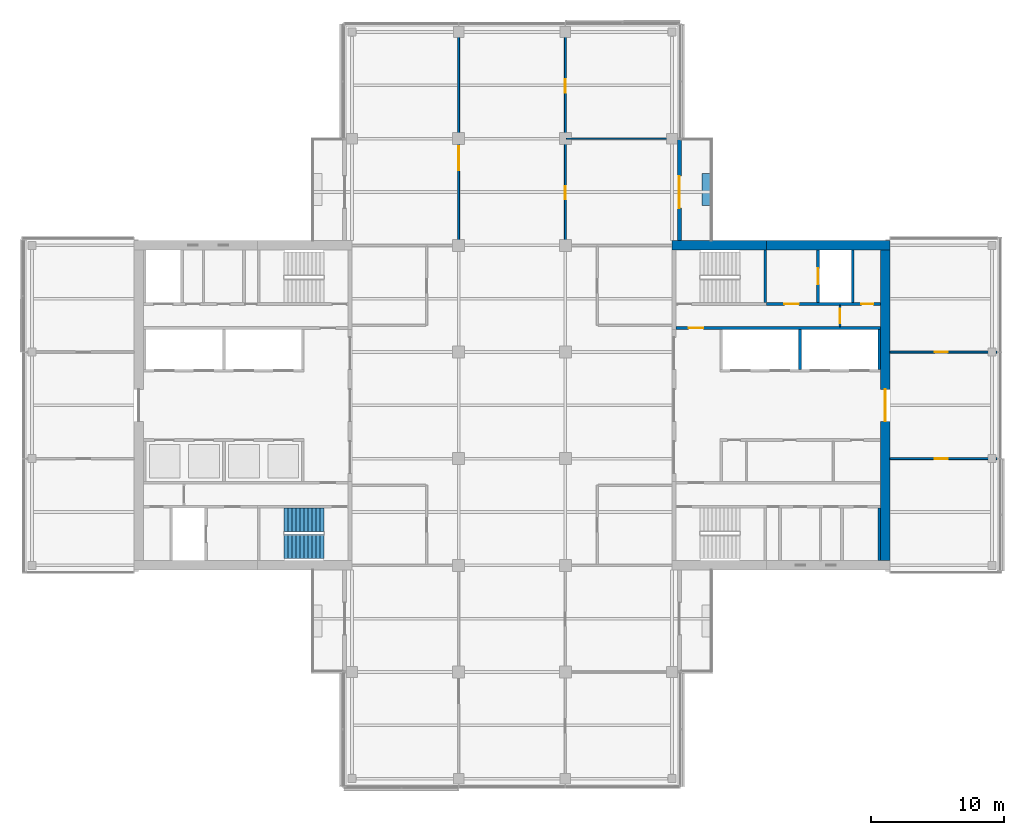
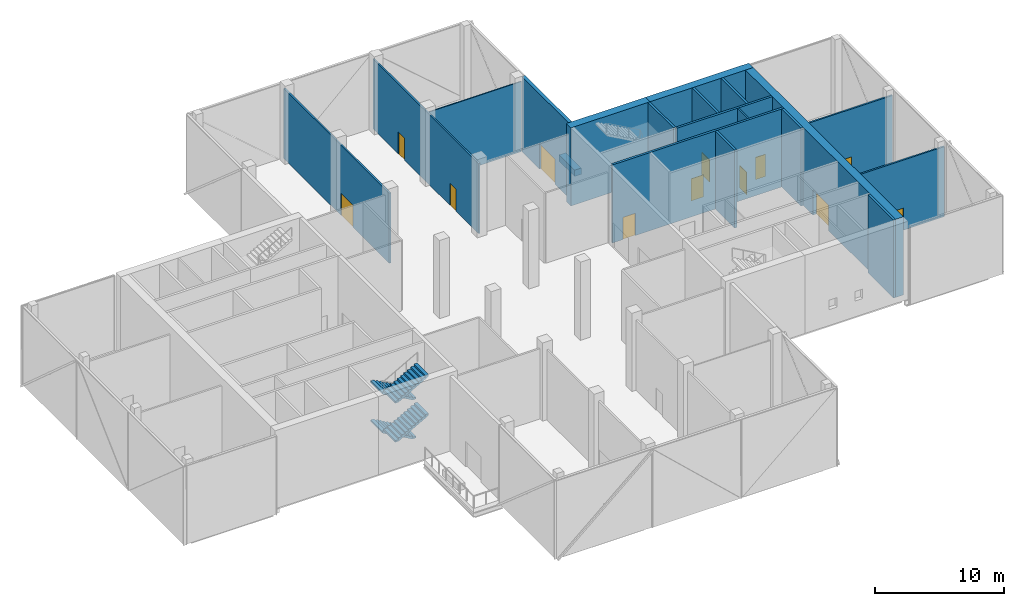
# One storey, part 13 of 20: 19 walls, 12 doors, 4 stair flights, 12 openings, 1 element without a shape of its own.
"""IFC4 building model written with IfcOpenShell, lengths in metres."""

from ifc_helpers import new_model, si_unit, direction, frame, frame_2d, origin, place, context, subcontext, project, spatial, polyline, rectangle, outline, extrude, material, layer, layer_set, constituent, constituent_set, type_object, element, fill, aggregate, save


model = new_model("IFC4")

# Units and contexts
model_context = context("Model", 3, precision=1e-05, world=origin(), true_north=direction((0.0, 1.0)))
body_context = subcontext(model_context, "Body", "Model", "MODEL_VIEW")
ifc_project = project(units=[si_unit("LENGTHUNIT", "METRE"), si_unit("AREAUNIT", "SQUARE_METRE"), si_unit("VOLUMEUNIT", "CUBIC_METRE"), si_unit("PLANEANGLEUNIT", "RADIAN"), si_unit("MASSUNIT", "GRAM", prefix="KILO")], contexts=[model_context])

# Site, building, storey
site_placement = place(None, origin())
site = spatial("IfcSite", under=ifc_project, at=site_placement, CompositionType="ELEMENT")
building_placement = place(site_placement, origin())
building = spatial("IfcBuilding", under=site, at=building_placement, Name="Crosswind Convention Tower", CompositionType="ELEMENT")
storey_placement = place(building_placement, frame((0.0, 0.0, 171.5)))
storey = spatial("IfcBuildingStorey", under=building, at=storey_placement, Name="L36", CompositionType="ELEMENT", Elevation=171.5)

# Wall, opening, door
ifc_material_1 = material(Name="Concrete C60/75", Category="concrete")
ifc_layer_1 = layer(ifc_material_1, 0.699951171875)
ifc_layer_set_1 = layer_set([ifc_layer_1], Name="Concrete C60/75")
wall_type_1 = type_object("IfcWallType", Name="Concrete core wall 700", PredefinedType="SHEAR", material=ifc_layer_set_1)
wall_1_placement = place(storey_placement, frame((153.0, 88.35009765625, 0.0), z_axis=(0.0, 0.0, 1.0), x_axis=(0.0, 1.0, 0.0)))
wall_1 = element("IfcWall", 1, at=wall_1_placement, inside=storey, type_object=wall_type_1, Name="Wall O E L36", PredefinedType="SHEAR", context=body_context, shape_type="SweptSolid", body=[
    extrude(rectangle(XDim=23.2998046875, YDim=0.699951171875, at=frame_2d((11.64990234375, 0.0))), origin(), (0.0, 0.0, 1.0), 7.39990234375),
])
opening_1_placement = place(wall_1_placement, frame((10.449951171875, 0.0, 0.0)))
opening_1 = element("IfcOpeningElement", 2, at=opening_1_placement, cuts=wall_1, Name="Opening D100", PredefinedType="OPENING", context=body_context, shape_type="SweptSolid", body=[
    extrude(rectangle(XDim=2.39990234375, YDim=2.39990234375, at=frame_2d((1.199951171875, 1.199951171875))), frame((0.0, 0.35986328125, 0.0), z_axis=(0.0, -1.0, 0.0), x_axis=(1.0, 0.0, 0.0)), (0.0, 0.0, 1.0), 0.719970703125),
])
ifc_material_2 = material(Name="Steel fire door with glazed vision panels", Category="steel")
door_type_1 = type_object("IfcDoorType", Name="Fire-rated double door 2400x2400", OperationType="DOUBLE_DOOR_SINGLE_SWING", PredefinedType="DOOR", material=ifc_material_2)
door_1_placement = place(opening_1_placement, origin())
door_1 = element("IfcDoor", 3, at=door_1_placement, inside=storey, type_object=door_type_1, Name="Lobby outer door L36", ObjectType="D100", OperationType="DOUBLE_DOOR_SINGLE_SWING", OverallHeight=2.39990234375, OverallWidth=2.39990234375, PredefinedType="DOOR", context=body_context, shape_type="SweptSolid", body=[
    extrude(rectangle(XDim=2.39990234375, YDim=2.39990234375, at=frame_2d((1.199951171875, 1.199951171875))), frame((0.0, 0.02490234375, 0.0), z_axis=(0.0, -1.0, 0.0), x_axis=(1.0, 0.0, 0.0)), (0.0, 0.0, 1.0), 0.050048828125),
])
fill(opening_1, door_1)

# Walls
ifc_material_3 = material(Name="Concrete C50/60", Category="concrete")
ifc_layer_2 = layer(ifc_material_3, 0.199951171875)
ifc_layer_set_2 = layer_set([ifc_layer_2], Name="Concrete C50/60")
wall_type_2 = type_object("IfcWallType", Name="Concrete shaft and stair wall 200", PredefinedType="SHEAR", material=ifc_layer_set_2)
for number, where, z_axis, x_axis, name in (
    (4, (146.60009765625, 102.699951171875, 0.0), (0.0, 0.0, 1.0), (0.0, 1.0, 0.0), "Wall RPSEP E L36"),
    (5, (152.550048828125, 102.699951171875, 0.0), (0.0, 0.0, 1.0), (0.0, 1.0, 0.0), "Wall RPEAST E L36"),
):
    element("IfcWall", number, at=place(storey_placement, frame(where, z_axis=z_axis, x_axis=x_axis)), inside=storey, type_object=wall_type_2, Name=name, PredefinedType="SHEAR", context=body_context, shape_type="SweptSolid", body=[
        extrude(rectangle(XDim=3.0, YDim=0.199951171875, at=frame_2d((1.5, 0.0))), origin(), (0.0, 0.0, 1.0), 7.39990234375),
    ])

# Wall, opening, door
wall_2_placement = place(storey_placement, frame((137.300048828125, 105.800048828125, 0.0), z_axis=(0.0, 0.0, 1.0), x_axis=(1.0, 0.0, 0.0)))
wall_2 = element("IfcWall", 6, at=wall_2_placement, inside=storey, type_object=wall_type_2, Name="Wall HP E L36", PredefinedType="SHEAR", context=body_context, shape_type="SweptSolid", body=[
    extrude(rectangle(XDim=15.349853515625, YDim=0.199951171875, at=frame_2d((7.6748046875, 0.0))), origin(), (0.0, 0.0, 1.0), 7.39990234375),
])
opening_2_placement = place(wall_2_placement, frame((0.949951171875, 0.0, 0.0)))
opening_2 = element("IfcOpeningElement", 7, at=opening_2_placement, cuts=wall_2, Name="Opening D104", PredefinedType="OPENING", context=body_context, shape_type="SweptSolid", body=[
    extrude(rectangle(XDim=1.10009765625, YDim=2.10009765625, at=frame_2d((0.550048828125, 1.050048828125))), frame((0.0, 0.10986328125, 0.0), z_axis=(0.0, -1.0, 0.0), x_axis=(1.0, 0.0, 0.0)), (0.0, 0.0, 1.0), 0.219970703125),
])
ifc_material_4 = material(Name="Steel fire door", Category="steel")
door_type_2 = type_object("IfcDoorType", Name="Fire-rated single door 1100x2100", OperationType="NOTDEFINED", PredefinedType="DOOR", material=ifc_material_4)
door_2_placement = place(opening_2_placement, origin())
door_2 = element("IfcDoor", 8, at=door_2_placement, inside=storey, type_object=door_type_2, Name="Corridor door L36", ObjectType="D104", OperationType="SINGLE_SWING_LEFT", OverallHeight=2.10009765625, OverallWidth=1.10009765625, PredefinedType="DOOR", context=body_context, shape_type="SweptSolid", body=[
    extrude(rectangle(XDim=1.10009765625, YDim=2.10009765625, at=frame_2d((0.550048828125, 1.050048828125))), frame((0.0, 0.02490234375, 0.0), z_axis=(0.0, -1.0, 0.0), x_axis=(1.0, 0.0, 0.0)), (0.0, 0.0, 1.0), 0.050048828125),
])
fill(opening_2, door_2)

# Wall
wall_3_placement = place(storey_placement, frame((144.0, 107.699951171875, 0.0), z_axis=(0.0, 0.0, 1.0), x_axis=(0.0, 1.0, 0.0)))
element("IfcWall", 9, at=wall_3_placement, inside=storey, type_object=wall_type_2, Name="Wall PSE E L36", PredefinedType="SHEAR", context=body_context, shape_type="SweptSolid", body=[
    extrude(rectangle(XDim=3.949951171875, YDim=0.199951171875, at=frame_2d((1.97509765625, 0.0))), origin(), (0.0, 0.0, 1.0), 7.39990234375),
])

# Wall, opening, door
wall_4_placement = place(storey_placement, frame((147.949951171875, 107.699951171875, 0.0), z_axis=(0.0, 0.0, 1.0), x_axis=(0.0, 1.0, 0.0)))
wall_4 = element("IfcWall", 10, at=wall_4_placement, inside=storey, type_object=wall_type_2, Name="Wall PFLW E L36", PredefinedType="SHEAR", context=body_context, shape_type="SweptSolid", body=[
    extrude(rectangle(XDim=3.949951171875, YDim=0.199951171875, at=frame_2d((1.97509765625, 0.0))), origin(), (0.0, 0.0, 1.0), 7.39990234375),
])
opening_3_placement = place(wall_4_placement, frame((1.375, 0.0, 0.0)))
opening_3 = element("IfcOpeningElement", 11, at=opening_3_placement, cuts=wall_4, Name="Opening LD1", PredefinedType="OPENING", context=body_context, shape_type="SweptSolid", body=[
    extrude(rectangle(XDim=1.199951171875, YDim=2.10009765625, at=frame_2d((0.60009765625, 1.050048828125))), frame((0.0, 0.10986328125, 0.0), z_axis=(0.0, -1.0, 0.0), x_axis=(1.0, 0.0, 0.0)), (0.0, 0.0, 1.0), 0.219970703125),
])
ifc_material_5 = material(Name="Stainless steel", Category="steel")
door_type_3 = type_object("IfcDoorType", Name="Lift landing door 1200x2100", OperationType="DOUBLE_DOOR_SLIDING", PredefinedType="DOOR", material=ifc_material_5)
door_3_placement = place(opening_3_placement, origin())
door_3 = element("IfcDoor", 12, at=door_3_placement, inside=storey, type_object=door_type_3, Name="Landing door FF1 L36", ObjectType="LD1", OperationType="DOUBLE_DOOR_SLIDING", OverallHeight=2.10009765625, OverallWidth=1.199951171875, PredefinedType="DOOR", context=body_context, shape_type="SweptSolid", body=[
    extrude(rectangle(XDim=1.199951171875, YDim=2.10009765625, at=frame_2d((0.60009765625, 1.050048828125))), frame((0.0, 0.02490234375, 0.0), z_axis=(0.0, -1.0, 0.0), x_axis=(1.0, 0.0, 0.0)), (0.0, 0.0, 1.0), 0.050048828125),
])
fill(opening_3, door_3)

# Wall
wall_5_placement = place(storey_placement, frame((150.550048828125, 107.699951171875, 0.0), z_axis=(0.0, 0.0, 1.0), x_axis=(0.0, 1.0, 0.0)))
element("IfcWall", 13, at=wall_5_placement, inside=storey, type_object=wall_type_2, Name="Wall PFSE E L36", PredefinedType="SHEAR", context=body_context, shape_type="SweptSolid", body=[
    extrude(rectangle(XDim=3.949951171875, YDim=0.199951171875, at=frame_2d((1.97509765625, 0.0))), origin(), (0.0, 0.0, 1.0), 7.39990234375),
])

# Wall, openings, doors
wall_6_placement = place(storey_placement, frame((144.10009765625, 107.60009765625, 0.0), z_axis=(0.0, 0.0, 1.0), x_axis=(1.0, 0.0, 0.0)))
wall_6 = element("IfcWall", 14, at=wall_6_placement, inside=storey, type_object=wall_type_2, Name="Wall PCX E L36", PredefinedType="SHEAR", context=body_context, shape_type="SweptSolid", body=[
    extrude(rectangle(XDim=8.5498046875, YDim=0.199951171875, at=frame_2d((4.27490234375, 0.0))), origin(), (0.0, 0.0, 1.0), 7.39990234375),
])
opening_4_placement = place(wall_6_placement, frame((1.324951171875, 0.0, 0.0)))
opening_4 = element("IfcOpeningElement", 15, at=opening_4_placement, cuts=wall_6, Name="Opening D104", PredefinedType="OPENING", context=body_context, shape_type="SweptSolid", body=[
    extrude(rectangle(XDim=1.10009765625, YDim=2.10009765625, at=frame_2d((0.550048828125, 1.050048828125))), frame((0.0, 0.10986328125, 0.0), z_axis=(0.0, -1.0, 0.0), x_axis=(1.0, 0.0, 0.0)), (0.0, 0.0, 1.0), 0.219970703125),
])
opening_5_placement = place(wall_6_placement, frame((7.10009765625, 0.0, 0.0)))
opening_5 = element("IfcOpeningElement", 16, at=opening_5_placement, cuts=wall_6, Name="Opening D106", PredefinedType="OPENING", context=body_context, shape_type="SweptSolid", body=[
    extrude(rectangle(XDim=0.89990234375, YDim=2.10009765625, at=frame_2d((0.449951171875, 1.050048828125))), frame((0.0, 0.10986328125, 0.0), z_axis=(0.0, -1.0, 0.0), x_axis=(1.0, 0.0, 0.0)), (0.0, 0.0, 1.0), 0.219970703125),
])
door_4_placement = place(opening_4_placement, origin())
door_4 = element("IfcDoor", 17, at=door_4_placement, inside=storey, type_object=door_type_2, Name="Fire-fighting lobby FF1 door L36", ObjectType="D104", OperationType="SINGLE_SWING_RIGHT", OverallHeight=2.10009765625, OverallWidth=1.10009765625, PredefinedType="DOOR", context=body_context, shape_type="SweptSolid", body=[
    extrude(rectangle(XDim=1.10009765625, YDim=2.10009765625, at=frame_2d((0.550048828125, 1.050048828125))), frame((0.0, 0.02490234375, 0.0), z_axis=(0.0, -1.0, 0.0), x_axis=(1.0, 0.0, 0.0)), (0.0, 0.0, 1.0), 0.050048828125),
])
fill(opening_4, door_4)
ifc_material_6 = material(Name="Timber door", Category="wood")
door_type_4 = type_object("IfcDoorType", Name="Single leaf door 900x2100", OperationType="NOTDEFINED", PredefinedType="DOOR", material=ifc_material_6)
door_5_placement = place(opening_5_placement, origin())
door_5 = element("IfcDoor", 18, at=door_5_placement, inside=storey, type_object=door_type_4, Name="Door to telecoms room L36", ObjectType="D106", OperationType="SINGLE_SWING_RIGHT", OverallHeight=2.10009765625, OverallWidth=0.89990234375, PredefinedType="DOOR", context=body_context, shape_type="SweptSolid", body=[
    extrude(rectangle(XDim=0.89990234375, YDim=2.10009765625, at=frame_2d((0.449951171875, 1.050048828125))), frame((0.0, 0.02490234375, 0.0), z_axis=(0.0, -1.0, 0.0), x_axis=(1.0, 0.0, 0.0)), (0.0, 0.0, 1.0), 0.050048828125),
])
fill(opening_5, door_5)

# Wall
wall_7_placement = place(storey_placement, frame((152.550048828125, 88.35009765625, 0.0), z_axis=(0.0, 0.0, 1.0), x_axis=(0.0, 1.0, 0.0)))
element("IfcWall", 19, at=wall_7_placement, inside=storey, type_object=wall_type_2, Name="Wall MFSE E L36", PredefinedType="SHEAR", context=body_context, shape_type="SweptSolid", body=[
    extrude(rectangle(XDim=3.949951171875, YDim=0.199951171875, at=frame_2d((1.97509765625, 0.0))), origin(), (0.0, 0.0, 1.0), 7.39990234375),
])

# Wall, opening, door
ifc_material_7 = material(Name="Gypsum plasterboard partition", Category="gypsum")
ifc_layer_3 = layer(ifc_material_7, 0.125)
ifc_layer_set_3 = layer_set([ifc_layer_3], Name="Drywall partition wall 125")
wall_type_3 = type_object("IfcWallType", Name="Drywall partition wall 125", PredefinedType="PARTITIONING", material=ifc_layer_set_3)
wall_8_placement = place(storey_placement, frame((149.60009765625, 105.89990234375, 0.0), z_axis=(0.0, 0.0, 1.0), x_axis=(0.0, 1.0, 0.0)))
wall_8 = element("IfcWall", 20, at=wall_8_placement, inside=storey, type_object=wall_type_3, Name="Wall PXC1 E L36", PredefinedType="PARTITIONING", context=body_context, shape_type="SweptSolid", body=[
    extrude(rectangle(XDim=1.60009765625, YDim=0.125, at=frame_2d((0.800048828125, 0.0))), origin(), (0.0, 0.0, 1.0), 7.39990234375),
])
opening_6_placement = place(wall_8_placement, frame((0.25, 0.0, 0.0)))
opening_6 = element("IfcOpeningElement", 21, at=opening_6_placement, cuts=wall_8, Name="Opening D104", PredefinedType="OPENING", context=body_context, shape_type="SweptSolid", body=[
    extrude(rectangle(XDim=1.10009765625, YDim=2.10009765625, at=frame_2d((0.550048828125, 1.050048828125))), frame((0.0, 0.072509765625, 0.0), z_axis=(0.0, -1.0, 0.0), x_axis=(1.0, 0.0, 0.0)), (0.0, 0.0, 1.0), 0.14501953125),
])
door_6_placement = place(opening_6_placement, origin())
door_6 = element("IfcDoor", 22, at=door_6_placement, inside=storey, type_object=door_type_2, Name="Corridor smoke door L36", ObjectType="D104", OperationType="SINGLE_SWING_RIGHT", OverallHeight=2.10009765625, OverallWidth=1.10009765625, PredefinedType="DOOR", context=body_context, shape_type="SweptSolid", body=[
    extrude(rectangle(XDim=1.10009765625, YDim=2.10009765625, at=frame_2d((0.550048828125, 1.050048828125))), frame((0.0, 0.02490234375, 0.0), z_axis=(0.0, -1.0, 0.0), x_axis=(1.0, 0.0, 0.0)), (0.0, 0.0, 1.0), 0.050048828125),
])
fill(opening_6, door_6)

# Walls
ifc_material_8 = material(Name="Plasterboard partition", Category="gypsum")
ifc_layer_4 = layer(ifc_material_8, 0.10009765625)
ifc_layer_set_4 = layer_set([ifc_layer_4], Name="PARTITION 100 METAL STUD")
wall_type_4 = type_object("IfcWallType", Name="PARTITION 100 METAL STUD", PredefinedType="PARTITIONING", material=ifc_layer_set_4)
wall_9_placement = place(storey_placement, frame((129.074951171875, 120.0, 0.0), z_axis=(0.0, 0.0, 1.0), x_axis=(1.0, 0.0, 0.0)))
element("IfcWall", 23, at=wall_9_placement, inside=storey, type_object=wall_type_4, Name="Partition wall WT40", PredefinedType="PARTITIONING", context=body_context, shape_type="SweptSolid", body=[
    extrude(rectangle(XDim=8.295166015625, YDim=0.10009765625, at=frame_2d((4.1474609375, 0.0))), origin(), (0.0, 0.0, 1.0), 6.639892578125),
])
ifc_material_9 = material(Name="Concrete C30/37", Category="concrete")
ifc_layer_5 = layer(ifc_material_9, 0.60009765625)
ifc_layer_set_5 = layer_set([ifc_layer_5], Name="Concrete C30/37")
wall_type_5 = type_object("IfcWallType", Name="PLANTER BOX WALL 600", PredefinedType="SOLIDWALL", material=ifc_layer_set_5)
wall_10_placement = place(storey_placement, frame((139.550048828125, 114.97509765625, 0.0), z_axis=(0.0, 0.0, 1.0), x_axis=(0.0, 1.0, 0.0)))
element("IfcWall", 24, at=wall_10_placement, inside=storey, type_object=wall_type_5, Name="PLANTER L36 N-E.1-1", PredefinedType="SOLIDWALL", context=body_context, shape_type="SweptSolid", body=[
    extrude(rectangle(XDim=2.39990234375, YDim=0.60009765625, at=frame_2d((1.199951171875, 0.0))), origin(), (0.0, 0.0, 1.0), 0.60009765625),
])

# Wall, opening, door
ifc_material_10 = material(Name="Fire-board partition with mineral wool", Category="gypsum")
ifc_layer_6 = layer(ifc_material_10, 0.14990234375)
ifc_layer_set_6 = layer_set([ifc_layer_6], Name="TENANCY WALL 150 TWO-HOUR BOARD")
wall_type_6 = type_object("IfcWallType", Name="TENANCY WALL 150 TWO-HOUR BOARD", PredefinedType="PARTITIONING", material=ifc_layer_set_6)
wall_11_placement = place(storey_placement, frame((121.0, 112.0, 0.0), z_axis=(0.0, 0.0, 1.0), x_axis=(0.0, 1.0, 0.0)))
wall_11 = element("IfcWall", 25, at=wall_11_placement, inside=storey, type_object=wall_type_6, Name="Tenancy wall WT41", PredefinedType="PARTITIONING", context=body_context, shape_type="SweptSolid", body=[
    extrude(rectangle(XDim=16.3701171875, YDim=0.14990234375, at=frame_2d((8.18505859375, 0.0))), origin(), (0.0, 0.0, 1.0), 6.639892578125),
])
opening_7_placement = place(wall_11_placement, frame((5.64990234375, 0.0, 0.0)))
opening_7 = element("IfcOpeningElement", 26, at=opening_7_placement, cuts=wall_11, Name="Opening L36-50", PredefinedType="OPENING", context=body_context, shape_type="SweptSolid", body=[
    extrude(rectangle(XDim=1.800048828125, YDim=2.10009765625, at=frame_2d((0.89990234375, 1.050048828125))), frame((0.0, 0.0849609375, 0.0), z_axis=(0.0, -1.0, 0.0), x_axis=(1.0, 0.0, 0.0)), (0.0, 0.0, 1.0), 0.169921875),
])
ifc_material_11 = material(Name="Timber fire door", Category="wood")
door_type_5 = type_object("IfcDoorType", Name="TENANCY ENTRANCE DOUBLE DOOR 1800X2100 FD30S", OperationType="DOUBLE_DOOR_SINGLE_SWING", PredefinedType="DOOR", material=ifc_material_11)
door_7_placement = place(opening_7_placement, frame((1.800048828125, 0.0, 0.0), z_axis=(0.0, 0.0, 1.0), x_axis=(-1.0, 0.0, 0.0)))
door_7 = element("IfcDoor", 27, at=door_7_placement, inside=storey, type_object=door_type_5, Name="Door L36-50", ObjectType="D42", OperationType="DOUBLE_DOOR_SINGLE_SWING", OverallHeight=2.10009765625, OverallWidth=1.800048828125, PredefinedType="DOOR", context=body_context, shape_type="SweptSolid", body=[
    extrude(rectangle(XDim=1.800048828125, YDim=2.10009765625, at=frame_2d((0.89990234375, 1.050048828125))), frame((0.0, 0.02490234375, 0.0), z_axis=(0.0, -1.0, 0.0), x_axis=(1.0, 0.0, 0.0)), (0.0, 0.0, 1.0), 0.050048828125),
])
fill(opening_7, door_7)

# Wall, openings, doors
wall_12_placement = place(storey_placement, frame((129.0, 112.0, 0.0), z_axis=(0.0, 0.0, 1.0), x_axis=(0.0, 1.0, 0.0)))
wall_12 = element("IfcWall", 28, at=wall_12_placement, inside=storey, type_object=wall_type_6, Name="Tenancy wall WT41", PredefinedType="PARTITIONING", context=body_context, shape_type="SweptSolid", body=[
    extrude(rectangle(XDim=16.3701171875, YDim=0.14990234375, at=frame_2d((8.18505859375, 0.0))), origin(), (0.0, 0.0, 1.0), 6.639892578125),
])
opening_8_placement = place(wall_12_placement, frame((3.449951171875, 0.0, 0.0)))
opening_8 = element("IfcOpeningElement", 29, at=opening_8_placement, cuts=wall_12, Name="Opening L36-51", PredefinedType="OPENING", context=body_context, shape_type="SweptSolid", body=[
    extrude(rectangle(XDim=1.0, YDim=2.10009765625, at=frame_2d((0.5, 1.050048828125))), frame((0.0, 0.0849609375, 0.0), z_axis=(0.0, -1.0, 0.0), x_axis=(1.0, 0.0, 0.0)), (0.0, 0.0, 1.0), 0.169921875),
])
opening_9_placement = place(wall_12_placement, frame((11.449951171875, 0.0, 0.0)))
opening_9 = element("IfcOpeningElement", 30, at=opening_9_placement, cuts=wall_12, Name="Opening L36-52", PredefinedType="OPENING", context=body_context, shape_type="SweptSolid", body=[
    extrude(rectangle(XDim=1.0, YDim=2.10009765625, at=frame_2d((0.5, 1.050048828125))), frame((0.0, 0.0849609375, 0.0), z_axis=(0.0, -1.0, 0.0), x_axis=(1.0, 0.0, 0.0)), (0.0, 0.0, 1.0), 0.169921875),
])
door_type_6 = type_object("IfcDoorType", Name="TENANCY ENTRANCE DOOR 1000X2100 FD30S", OperationType="NOTDEFINED", PredefinedType="DOOR", material=ifc_material_11)
door_8_placement = place(opening_8_placement, origin())
door_8 = element("IfcDoor", 31, at=door_8_placement, inside=storey, type_object=door_type_6, Name="Door L36-51", ObjectType="D41", OperationType="SINGLE_SWING_LEFT", OverallHeight=2.10009765625, OverallWidth=1.0, PredefinedType="DOOR", context=body_context, shape_type="SweptSolid", body=[
    extrude(rectangle(XDim=1.0, YDim=2.10009765625, at=frame_2d((0.5, 1.050048828125))), frame((0.0, 0.02490234375, 0.0), z_axis=(0.0, -1.0, 0.0), x_axis=(1.0, 0.0, 0.0)), (0.0, 0.0, 1.0), 0.050048828125),
])
fill(opening_8, door_8)
door_9_placement = place(opening_9_placement, origin())
door_9 = element("IfcDoor", 32, at=door_9_placement, inside=storey, type_object=door_type_6, Name="Door L36-52", ObjectType="D41", OperationType="SINGLE_SWING_LEFT", OverallHeight=2.10009765625, OverallWidth=1.0, PredefinedType="DOOR", context=body_context, shape_type="SweptSolid", body=[
    extrude(rectangle(XDim=1.0, YDim=2.10009765625, at=frame_2d((0.5, 1.050048828125))), frame((0.0, 0.02490234375, 0.0), z_axis=(0.0, -1.0, 0.0), x_axis=(1.0, 0.0, 0.0)), (0.0, 0.0, 1.0), 0.050048828125),
])
fill(opening_9, door_9)

# Wall, opening, door
wall_13_placement = place(storey_placement, frame((153.35009765625, 96.0, 0.0), z_axis=(0.0, 0.0, 1.0), x_axis=(1.0, 0.0, 0.0)))
wall_13 = element("IfcWall", 33, at=wall_13_placement, inside=storey, type_object=wall_type_6, Name="Tenancy wall WT41", PredefinedType="PARTITIONING", context=body_context, shape_type="SweptSolid", body=[
    extrude(rectangle(XDim=8.02001953125, YDim=0.14990234375, at=frame_2d((4.010009765625, 0.0))), origin(), (0.0, 0.0, 1.0), 6.639892578125),
])
opening_10_placement = place(wall_13_placement, frame((3.35009765625, 0.0, 0.0)))
opening_10 = element("IfcOpeningElement", 34, at=opening_10_placement, cuts=wall_13, Name="Opening L36-61", PredefinedType="OPENING", context=body_context, shape_type="SweptSolid", body=[
    extrude(rectangle(XDim=1.0, YDim=2.10009765625, at=frame_2d((0.5, 1.050048828125))), frame((0.0, 0.0849609375, 0.0), z_axis=(0.0, -1.0, 0.0), x_axis=(1.0, 0.0, 0.0)), (0.0, 0.0, 1.0), 0.169921875),
])
door_10_placement = place(opening_10_placement, origin())
door_10 = element("IfcDoor", 35, at=door_10_placement, inside=storey, type_object=door_type_6, Name="Door L36-61", ObjectType="D41", OperationType="SINGLE_SWING_RIGHT", OverallHeight=2.10009765625, OverallWidth=1.0, PredefinedType="DOOR", context=body_context, shape_type="SweptSolid", body=[
    extrude(rectangle(XDim=1.0, YDim=2.10009765625, at=frame_2d((0.5, 1.050048828125))), frame((0.0, 0.02490234375, 0.0), z_axis=(0.0, -1.0, 0.0), x_axis=(1.0, 0.0, 0.0)), (0.0, 0.0, 1.0), 0.050048828125),
])
fill(opening_10, door_10)

wall_14_placement = place(storey_placement, frame((153.35009765625, 104.0, 0.0), z_axis=(0.0, 0.0, 1.0), x_axis=(1.0, 0.0, 0.0)))
wall_14 = element("IfcWall", 36, at=wall_14_placement, inside=storey, type_object=wall_type_6, Name="Tenancy wall WT41", PredefinedType="PARTITIONING", context=body_context, shape_type="SweptSolid", body=[
    extrude(rectangle(XDim=8.02001953125, YDim=0.14990234375, at=frame_2d((4.010009765625, 0.0))), origin(), (0.0, 0.0, 1.0), 6.639892578125),
])
opening_11_placement = place(wall_14_placement, frame((3.35009765625, 0.0, 0.0)))
opening_11 = element("IfcOpeningElement", 37, at=opening_11_placement, cuts=wall_14, Name="Opening L36-60", PredefinedType="OPENING", context=body_context, shape_type="SweptSolid", body=[
    extrude(rectangle(XDim=1.0, YDim=2.10009765625, at=frame_2d((0.5, 1.050048828125))), frame((0.0, 0.0849609375, 0.0), z_axis=(0.0, -1.0, 0.0), x_axis=(1.0, 0.0, 0.0)), (0.0, 0.0, 1.0), 0.169921875),
])
door_11_placement = place(opening_11_placement, frame((1.0, 0.0, 0.0), z_axis=(0.0, 0.0, 1.0), x_axis=(-1.0, 0.0, 0.0)))
door_11 = element("IfcDoor", 38, at=door_11_placement, inside=storey, type_object=door_type_6, Name="Door L36-60", ObjectType="D41", OperationType="SINGLE_SWING_LEFT", OverallHeight=2.10009765625, OverallWidth=1.0, PredefinedType="DOOR", context=body_context, shape_type="SweptSolid", body=[
    extrude(rectangle(XDim=1.0, YDim=2.10009765625, at=frame_2d((0.5, 1.050048828125))), frame((0.0, 0.02490234375, 0.0), z_axis=(0.0, -1.0, 0.0), x_axis=(1.0, 0.0, 0.0)), (0.0, 0.0, 1.0), 0.050048828125),
])
fill(opening_11, door_11)

ifc_material_12 = material(Name="Terracotta rainscreen", Category="ceramic")
ifc_layer_7 = layer(ifc_material_12, 0.02001953125)
ifc_material_13 = material(Name="Mineral wool insulation", Category="insulation")
ifc_layer_8 = layer(ifc_material_13, 0.10009765625)
ifc_material_14 = material(Name="Concrete blockwork", Category="masonry")
ifc_layer_9 = layer(ifc_material_14, 0.179931640625)
ifc_layer_set_7 = layer_set([ifc_layer_7, ifc_layer_8, ifc_layer_9], Name="TERRACOTTA INFILL WALL 300")
wall_type_7 = type_object("IfcWallType", Name="TERRACOTTA INFILL WALL 300", PredefinedType="SOLIDWALL", material=ifc_layer_set_7)
wall_15_placement = place(storey_placement, frame((137.550048828125, 112.35009765625, 0.0), z_axis=(0.0, 0.0, 1.0), x_axis=(0.0, 1.0, 0.0)))
wall_15 = element("IfcWall", 39, at=wall_15_placement, inside=storey, type_object=wall_type_7, Name="Notch front wall L36 N-E.1-1", PredefinedType="SOLIDWALL", context=body_context, shape_type="SweptSolid", body=[
    extrude(rectangle(XDim=7.6123046875, YDim=0.300048828125, at=frame_2d((3.80615234375, 0.0))), origin(), (0.0, 0.0, 1.0), 7.10009765625),
])
opening_12_placement = place(wall_15_placement, frame((2.449951171875, 0.0, 0.0)))
opening_12 = element("IfcOpeningElement", 40, at=opening_12_placement, cuts=wall_15, Name="Opening D143", PredefinedType="OPENING", context=body_context, shape_type="SweptSolid", body=[
    extrude(rectangle(XDim=2.39990234375, YDim=2.39990234375, at=frame_2d((1.199951171875, 1.199951171875))), frame((0.0, 0.159912109375, 0.0), z_axis=(0.0, -1.0, 0.0), x_axis=(1.0, 0.0, 0.0)), (0.0, 0.0, 1.0), 0.320068359375),
])
ifc_material_15 = material(Name="Aluminium glazed door", Category="aluminium")
door_type_7 = type_object("IfcDoorType", Name="WINTER GARDEN SLIDING DOOR 2400X2400", OperationType="SLIDING_TO_LEFT", PredefinedType="DOOR", material=ifc_material_15)
door_12_placement = place(opening_12_placement, frame((2.39990234375, 0.0, 0.0), z_axis=(0.0, 0.0, 1.0), x_axis=(-1.0, 0.0, 0.0)))
door_12 = element("IfcDoor", 41, at=door_12_placement, inside=storey, type_object=door_type_7, Name="D143 winter garden door L36 N-E.1-1", ObjectType="D143", OperationType="SLIDING_TO_LEFT", OverallHeight=2.39990234375, OverallWidth=2.39990234375, PredefinedType="DOOR", context=body_context, shape_type="SweptSolid", body=[
    extrude(rectangle(XDim=2.39990234375, YDim=2.39990234375, at=frame_2d((1.199951171875, 1.199951171875))), frame((0.0, 0.02490234375, 0.0), z_axis=(0.0, -1.0, 0.0), x_axis=(1.0, 0.0, 0.0)), (0.0, 0.0, 1.0), 0.050048828125),
])
fill(opening_12, door_12)

# Walls
ifc_constituent_1 = constituent(ifc_material_1, Name="Structure")
ifc_constituent_2 = constituent(ifc_material_12, Name="Facing")
ifc_constituent_set = constituent_set(constituents=[ifc_constituent_1, ifc_constituent_2], Name="Concrete C60/75, Terracotta rainscreen")
wall_type_8 = type_object("IfcWallType", Name="Terracotta rainscreen on concrete core wall 700", PredefinedType="SHEAR", material=ifc_constituent_set)
wall_16_placement = place(storey_placement, frame((137.0, 112.0, 0.0), z_axis=(0.0, 0.0, 1.0), x_axis=(1.0, 0.0, 0.0)))
element("IfcWall", 42, at=wall_16_placement, inside=storey, type_object=wall_type_8, Name="Wall N1 E L36", PredefinedType="SHEAR", context=body_context, shape_type="SweptSolid", body=[
    extrude(rectangle(XDim=7.10009765625, YDim=0.699951171875, at=frame_2d((3.550048828125, 0.0))), origin(), (0.0, 0.0, 1.0), 7.39990234375),
])
wall_17_placement = place(storey_placement, frame((144.10009765625, 112.0, 0.0), z_axis=(0.0, 0.0, 1.0), x_axis=(1.0, 0.0, 0.0)))
element("IfcWall", 43, at=wall_17_placement, inside=storey, type_object=wall_type_8, Name="Wall N2 E L36", PredefinedType="SHEAR", context=body_context, shape_type="SweptSolid", body=[
    extrude(rectangle(XDim=9.25, YDim=0.699951171875, at=frame_2d((4.625, 0.0))), origin(), (0.0, 0.0, 1.0), 7.39990234375),
])

# Stair, stair flights
ifc_material_16 = material(Name="Concrete C40/50", Category="concrete")
stair_type = type_object("IfcStairType", Name="Exit stair 1800 wide, 4 flights of 11 risers", PredefinedType="HALF_TURN_STAIR", material=ifc_material_16)
stair_placement = place(storey_placement, origin())
stair = element("IfcStair", 44, at=stair_placement, inside=storey, type_object=stair_type, Name="Exit stair ST3 L36", ObjectType="ST6", PredefinedType="HALF_TURN_STAIR")
stair_flight_type = type_object("IfcStairFlightType", Name="Stair flight 1800 wide, 11 risers (SF3)", PredefinedType="STRAIGHT", material=ifc_material_16)
stair_flight_1_placement = place(storey_placement, frame((110.89990234375, 91.39990234375, 0.0), z_axis=(0.0, 0.0, 1.0), x_axis=(-1.0, 0.0, 0.0)))
stair_flight_1 = element("IfcStairFlight", 45, at=stair_flight_1_placement, type_object=stair_flight_type, Name="ST3 flight 1", NumberOfRisers=11, NumberOfTreads=10, PredefinedType="STRAIGHT", RiserHeight=0.168181818, TreadLength=0.3, context=body_context, shape_type="SweptSolid", body=[
    extrude(outline(polyline([(0.0, 0.0), (0.0, 0.168212890625), (0.300048828125, 0.168212890625), (0.300048828125, 0.33642578125), (0.60009765625, 0.33642578125), (0.60009765625, 0.504638671875), (0.89990234375, 0.504638671875), (0.89990234375, 0.672607421875), (1.199951171875, 0.672607421875), (1.199951171875, 0.8408203125), (1.5, 0.8408203125), (1.5, 1.009033203125), (1.800048828125, 1.009033203125), (1.800048828125, 1.17724609375), (2.10009765625, 1.17724609375), (2.10009765625, 1.345458984375), (2.39990234375, 1.345458984375), (2.39990234375, 1.513671875), (2.699951171875, 1.513671875), (2.699951171875, 1.681884765625), (3.0, 1.681884765625), (3.0, 1.85009765625), (3.0, 1.510009765625), (0.306640625, 0.0), (0.0, 0.0)])), frame((0.0, 0.89990234375, 0.0), z_axis=(0.0, -1.0, 0.0), x_axis=(1.0, 0.0, 0.0)), (0.0, 0.0, 1.0), 1.800048828125),
])
stair_flight_2_placement = place(storey_placement, frame((107.89990234375, 89.39990234375, 1.85009765625), z_axis=(0.0, 0.0, 1.0), x_axis=(1.0, 0.0, 0.0)))
stair_flight_2 = element("IfcStairFlight", 46, at=stair_flight_2_placement, type_object=stair_flight_type, Name="ST3 flight 2", NumberOfRisers=11, NumberOfTreads=10, PredefinedType="STRAIGHT", RiserHeight=0.168181818, TreadLength=0.3, context=body_context, shape_type="SweptSolid", body=[
    extrude(outline(polyline([(0.0, 0.0), (0.0, 0.168212890625), (0.300048828125, 0.168212890625), (0.300048828125, 0.33642578125), (0.60009765625, 0.33642578125), (0.60009765625, 0.504638671875), (0.89990234375, 0.504638671875), (0.89990234375, 0.672607421875), (1.199951171875, 0.672607421875), (1.199951171875, 0.8408203125), (1.5, 0.8408203125), (1.5, 1.009033203125), (1.800048828125, 1.009033203125), (1.800048828125, 1.17724609375), (2.10009765625, 1.17724609375), (2.10009765625, 1.345458984375), (2.39990234375, 1.345458984375), (2.39990234375, 1.513671875), (2.699951171875, 1.513671875), (2.699951171875, 1.681884765625), (3.0, 1.681884765625), (3.0, 1.85009765625), (3.0, 1.510009765625), (0.306640625, 0.0), (0.0, 0.0)])), frame((0.0, 0.89990234375, 0.0), z_axis=(0.0, -1.0, 0.0), x_axis=(1.0, 0.0, 0.0)), (0.0, 0.0, 1.0), 1.800048828125),
])
stair_flight_3_placement = place(storey_placement, frame((110.89990234375, 91.39990234375, 3.699951171875), z_axis=(0.0, 0.0, 1.0), x_axis=(-1.0, 0.0, 0.0)))
stair_flight_3 = element("IfcStairFlight", 47, at=stair_flight_3_placement, type_object=stair_flight_type, Name="ST3 flight 3", NumberOfRisers=11, NumberOfTreads=10, PredefinedType="STRAIGHT", RiserHeight=0.168181818, TreadLength=0.3, context=body_context, shape_type="SweptSolid", body=[
    extrude(outline(polyline([(0.0, 0.0), (0.0, 0.168212890625), (0.300048828125, 0.168212890625), (0.300048828125, 0.33642578125), (0.60009765625, 0.33642578125), (0.60009765625, 0.504638671875), (0.89990234375, 0.504638671875), (0.89990234375, 0.672607421875), (1.199951171875, 0.672607421875), (1.199951171875, 0.8408203125), (1.5, 0.8408203125), (1.5, 1.009033203125), (1.800048828125, 1.009033203125), (1.800048828125, 1.17724609375), (2.10009765625, 1.17724609375), (2.10009765625, 1.345458984375), (2.39990234375, 1.345458984375), (2.39990234375, 1.513671875), (2.699951171875, 1.513671875), (2.699951171875, 1.681884765625), (3.0, 1.681884765625), (3.0, 1.85009765625), (3.0, 1.510009765625), (0.306640625, 0.0), (0.0, 0.0)])), frame((0.0, 0.89990234375, 0.0), z_axis=(0.0, -1.0, 0.0), x_axis=(1.0, 0.0, 0.0)), (0.0, 0.0, 1.0), 1.800048828125),
])
stair_flight_4_placement = place(storey_placement, frame((107.89990234375, 89.39990234375, 5.550048828125), z_axis=(0.0, 0.0, 1.0), x_axis=(1.0, 0.0, 0.0)))
stair_flight_4 = element("IfcStairFlight", 48, at=stair_flight_4_placement, type_object=stair_flight_type, Name="ST3 flight 4", NumberOfRisers=11, NumberOfTreads=10, PredefinedType="STRAIGHT", RiserHeight=0.168181818, TreadLength=0.3, context=body_context, shape_type="SweptSolid", body=[
    extrude(outline(polyline([(0.0, 0.0), (0.0, 0.168212890625), (0.300048828125, 0.168212890625), (0.300048828125, 0.33642578125), (0.60009765625, 0.33642578125), (0.60009765625, 0.504638671875), (0.89990234375, 0.504638671875), (0.89990234375, 0.672607421875), (1.199951171875, 0.672607421875), (1.199951171875, 0.8408203125), (1.5, 0.8408203125), (1.5, 1.009033203125), (1.800048828125, 1.009033203125), (1.800048828125, 1.17724609375), (2.10009765625, 1.17724609375), (2.10009765625, 1.345458984375), (2.39990234375, 1.345458984375), (2.39990234375, 1.513671875), (2.699951171875, 1.513671875), (2.699951171875, 1.681884765625), (3.0, 1.681884765625), (3.0, 1.85009765625), (3.0, 1.510009765625), (0.306640625, 0.0), (0.0, 0.0)])), frame((0.0, 0.89990234375, 0.0), z_axis=(0.0, -1.0, 0.0), x_axis=(1.0, 0.0, 0.0)), (0.0, 0.0, 1.0), 1.800048828125),
])
aggregate(stair, [stair_flight_1, stair_flight_2, stair_flight_3, stair_flight_4])

save(model, "model.ifc")
